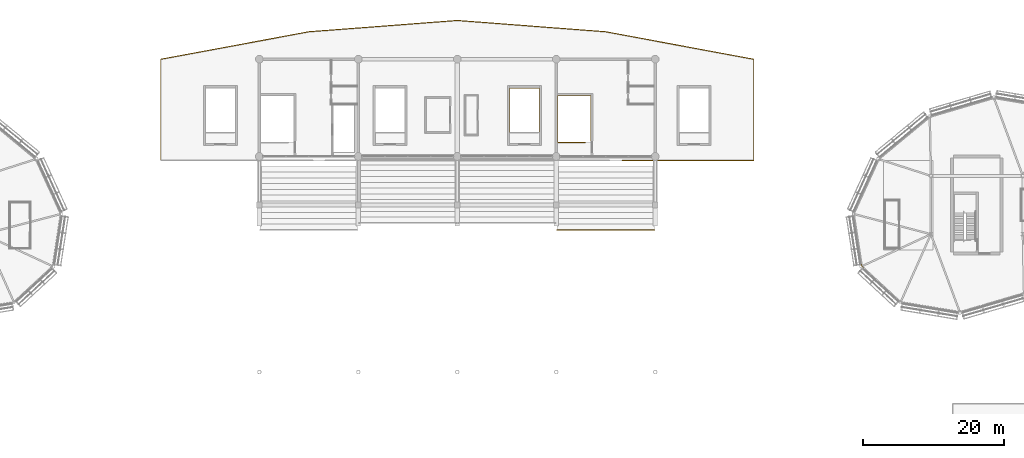
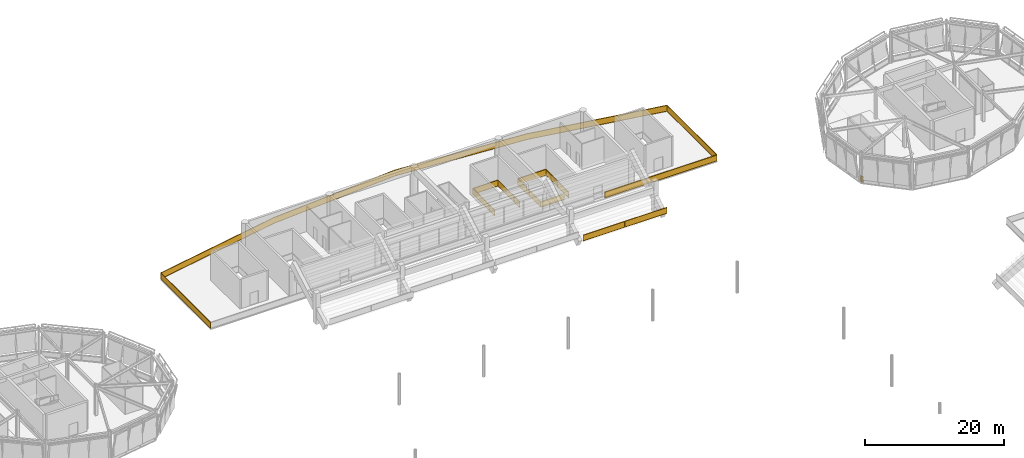
# One storey, part 88 of 90: 6 railings.
"""IFC4 building model written with IfcOpenShell, lengths in metres."""

import ifcopenshell
import ifcopenshell.guid

model = None  # the IFC model being written
_history = None  # IfcOwnerHistory: only IFC2X3 demands one
_inside = {}  # id of a spatial element -> (the spatial element, [elements in it])
_under = {}  # id of a project, library or spatial element -> (it, [spatial elements below it])
_declared = {}  # id of a project -> (the project, [libraries it declares])
_typed = {}  # id of a type object -> (the type object, [elements of that type])
_made_of = {}  # id of a material, layer set ... -> (it, [elements and type objects made of it])


def new_model(schema):
    """Start an empty IFC model of exactly this schema.

    Asked for "IFC4X3", IfcOpenShell would pick the latest addendum, in which some entities
    have other attributes; the version numbers below select the first issue.
    IFC2X3 requires an IfcOwnerHistory on every rooted entity: one is made here for all.
    """
    global model, _history
    if schema == "IFC4X3":
        model = ifcopenshell.file(schema_version=(4, 3, 0, 0))
    else:
        model = ifcopenshell.file(schema=schema)
    _inside.clear()
    _under.clear()
    _declared.clear()
    _typed.clear()
    _made_of.clear()
    _history = None
    if model.schema == "IFC2X3":
        org = make("IfcOrganization", Name="unknown")
        user = make(
            "IfcPersonAndOrganization",
            ThePerson=make("IfcPerson", FamilyName="unknown"),
            TheOrganization=org,
        )
        app = make(
            "IfcApplication",
            ApplicationDeveloper=org,
            Version="unknown",
            ApplicationFullName="unknown",
            ApplicationIdentifier="unknown",
        )
        _history = make(
            "IfcOwnerHistory",
            OwningUser=user,
            OwningApplication=app,
            ChangeAction="ADDED",
            CreationDate=0,
        )
    return model


def make(cls, **values):
    """One entity of the class cls with the attributes given. An attribute that is None is left unset."""
    return model.create_entity(
        cls, **{name: value for name, value in values.items() if value is not None}
    )


def rooted(cls, **values):
    """An entity with a GlobalId (a new one), such as an element, a storey or a relation."""
    return make(cls, GlobalId=ifcopenshell.guid.new(), OwnerHistory=_history, **values)


def si_unit(unit_type, name, prefix=None):
    """IfcSIUnit, for example si_unit("LENGTHUNIT", "METRE", prefix="MILLI")."""
    return make("IfcSIUnit", UnitType=unit_type, Prefix=prefix, Name=name)


def assignment(units):
    """IfcUnitAssignment: the units of a project."""
    return None if units is None else make("IfcUnitAssignment", Units=units)


def point(xyz):
    """IfcCartesianPoint."""
    return None if xyz is None else make("IfcCartesianPoint", Coordinates=xyz)


def direction(xyz):
    """IfcDirection."""
    return None if xyz is None else make("IfcDirection", DirectionRatios=xyz)


def frame(location, z_axis=None, x_axis=None):
    """IfcAxis2Placement3D, a coordinate frame: its origin and axes. An axis left out is left unset."""
    return make(
        "IfcAxis2Placement3D",
        Location=point(location),
        Axis=direction(z_axis),
        RefDirection=direction(x_axis),
    )


def frame_2d(location, x_axis=None):
    """IfcAxis2Placement2D, a coordinate frame in the plane: its origin and x axis."""
    return make(
        "IfcAxis2Placement2D", Location=point(location), RefDirection=direction(x_axis)
    )


def origin():
    """The frame at (0, 0, 0) with its axes left unset."""
    return frame((0.0, 0.0, 0.0))


def origin_2d():
    """The frame at (0, 0) in the plane with its x axis left unset."""
    return frame_2d((0.0, 0.0))


def place(relative_to, where):
    """IfcLocalPlacement: puts the frame where relative to a parent placement (None: the world)."""
    return make(
        "IfcLocalPlacement", PlacementRelTo=relative_to, RelativePlacement=where
    )


def context(
    kind, dimensions, precision=None, world=None, true_north=None, identifier=None
):
    """IfcGeometricRepresentationContext, for example the 3D "Model" context."""
    return make(
        "IfcGeometricRepresentationContext",
        ContextIdentifier=identifier,
        ContextType=kind,
        CoordinateSpaceDimension=dimensions,
        Precision=precision,
        WorldCoordinateSystem=world,
        TrueNorth=true_north,
    )


def subcontext(parent, identifier, kind, view, scale=None):
    """IfcGeometricRepresentationSubContext, for example "Body" below "Model"."""
    return make(
        "IfcGeometricRepresentationSubContext",
        ContextIdentifier=identifier,
        ContextType=kind,
        ParentContext=parent,
        TargetScale=scale,
        TargetView=view,
    )


def project(units=None, contexts=None):
    """IfcProject with its units and contexts."""
    return rooted(
        "IfcProject",
        Name="project",
        RepresentationContexts=contexts,
        UnitsInContext=assignment(units),
    )


def spatial(cls, under=None, at=None, **own):
    """A site, building, storey or space (cls), placed at a placement, below another one or the project."""
    s = rooted(cls, ObjectPlacement=at, **own)
    if under is not None:
        _under.setdefault(under.id(), (under, []))[1].append(s)
    return s


def profile(cls, at=None, kind="AREA", **sizes):
    """A parametric profile (cls). Its sizes go by their IFC names, for example OverallWidth=200.0."""
    return make(cls, ProfileType=kind, Position=at, **sizes)


def rectangle(**sizes):
    """IfcRectangleProfileDef."""
    return profile("IfcRectangleProfileDef", **sizes)


def extrude(swept, where, along, depth):
    """IfcExtrudedAreaSolid: the profile swept, set in the frame where, extruded along a direction by depth."""
    return make(
        "IfcExtrudedAreaSolid",
        SweptArea=swept,
        Position=where,
        ExtrudedDirection=direction(along),
        Depth=depth,
    )


def shape(context_of_items, identifier, shape_type, items):
    """IfcShapeRepresentation: the items that make up one representation, for example the "Body"."""
    return make(
        "IfcShapeRepresentation",
        ContextOfItems=context_of_items,
        RepresentationIdentifier=identifier,
        RepresentationType=shape_type,
        Items=items,
    )


def material(Name=None, Category=None):
    """IfcMaterial."""
    return make("IfcMaterial", Name=Name, Category=Category)


def made_of(thing, what):
    """Note that an element or type object is made of a material, layer set ...; save() writes the relation."""
    if what is not None:
        _made_of.setdefault(what.id(), (what, []))[1].append(thing)
    return thing


def type_object(cls, material=None, **own):
    """A type object (cls), such as IfcWallType, which elements share."""
    return made_of(rooted(cls, **own), material)


def element(
    cls,
    number,
    at=None,
    inside=None,
    cuts=None,
    type_object=None,
    material=None,
    context=None,
    identifier="Body",
    shape_type=None,
    held_by="IfcProductDefinitionShape",
    body=None,
    shapes=None,
    **own,
):
    """One element of the class cls, such as IfcWall. Its Tag is "e" and its number.

    at: its placement. inside: the storey or other place that contains it. cuts: it is an
    opening in that element (IfcRelVoidsElement). A single representation is given by context,
    identifier, shape_type and body (its items); several are given by shapes. held_by: the class
    of the entity that holds the representations. save() writes the other relations.
    """
    e = rooted(cls, Tag="e%d" % number, ObjectPlacement=at, **own)
    if body is not None:
        shapes = [shape(context, identifier, shape_type, body)]
    if shapes is not None:
        e.Representation = make(held_by, Representations=shapes)
    if inside is not None:
        _inside.setdefault(inside.id(), (inside, []))[1].append(e)
    if cuts is not None:
        rooted(
            "IfcRelVoidsElement", RelatingBuildingElement=cuts, RelatedOpeningElement=e
        )
    if type_object is not None:
        _typed.setdefault(type_object.id(), (type_object, []))[1].append(e)
    return made_of(e, material)


def aggregate(whole, parts):
    """IfcRelAggregates: a whole, such as a stair, and the parts it consists of."""
    return rooted("IfcRelAggregates", RelatingObject=whole, RelatedObjects=parts)


def save(model, path):
    """Write the relations noted so far, then the file.

    IfcRelAggregates (storeys below a building ...), IfcRelContainedInSpatialStructure (elements
    in a storey), IfcRelDefinesByType, IfcRelAssociatesMaterial and IfcRelDeclares: one each for
    every whole, place, type object, material and project.
    """
    for whole, parts in _under.values():
        aggregate(whole, parts)
    for where, things in _inside.values():
        rooted(
            "IfcRelContainedInSpatialStructure",
            RelatedElements=things,
            RelatingStructure=where,
        )
    for kind, things in _typed.values():
        rooted("IfcRelDefinesByType", RelatedObjects=things, RelatingType=kind)
    for what, things in _made_of.values():
        rooted("IfcRelAssociatesMaterial", RelatedObjects=things, RelatingMaterial=what)
    for by, libraries in _declared.values():
        rooted("IfcRelDeclares", RelatingContext=by, RelatedDefinitions=libraries)
    model.write(path)


model = new_model("IFC4")

# Units and contexts
model_context = context("Model", 3, precision=1e-05, world=origin(), true_north=direction((0.0, 1.0)))
body_context = subcontext(model_context, "Body", "Model", "MODEL_VIEW")
ifc_project = project(units=[si_unit("LENGTHUNIT", "METRE"), si_unit("AREAUNIT", "SQUARE_METRE"), si_unit("VOLUMEUNIT", "CUBIC_METRE"), si_unit("PLANEANGLEUNIT", "RADIAN"), si_unit("MASSUNIT", "GRAM", prefix="KILO")], contexts=[model_context])

# Site, building, storey
site_placement = place(None, origin())
site = spatial("IfcSite", under=ifc_project, at=site_placement, CompositionType="ELEMENT")
building_placement = place(site_placement, origin())
building = spatial("IfcBuilding", under=site, at=building_placement, Name="Linyun Crest Stadium", CompositionType="ELEMENT")
storey_placement = place(building_placement, frame((0.0, 0.0, 21.0)))
storey = spatial("IfcBuildingStorey", under=building, at=storey_placement, Name="L05", CompositionType="ELEMENT", Elevation=21.0)

# Railings
ifc_material_1 = material(Name="Galvanized and powder-coated steel bowl safety barrier", Category="steel")
railing_type_1 = type_object("IfcRailingType", Name="GR02", PredefinedType="GUARDRAIL", material=ifc_material_1)
railing_1_placement = place(storey_placement, frame((14.080078125, 81.10009765625, 1.64990234375)))
element("IfcRailing", 1, at=railing_1_placement, inside=storey, type_object=railing_type_1, Name="Bowl front safety guard GR02 81", PredefinedType="GUARDRAIL", context=body_context, shape_type="SweptSolid", body=[
    extrude(rectangle(XDim=0.06005859375, YDim=0.06005859375, at=origin_2d()), frame((0.0, 0.0, 1.090087890625), z_axis=(1.0, 0.0, 0.0), x_axis=(0.0, 1.0, 0.0)), (0.0, 0.0, 1.0), 13.83984375),
    extrude(rectangle(XDim=0.030029296875, YDim=1.0, at=origin_2d()), frame((0.0, 0.0, 0.56005859375), z_axis=(1.0, 0.0, 0.0), x_axis=(0.0, 1.0, 0.0)), (0.0, 0.0, 1.0), 13.83984375),
    extrude(rectangle(XDim=0.06005859375, YDim=0.06005859375, at=origin_2d()), frame((0.0, 0.0, 0.030029296875), z_axis=(1.0, 0.0, 0.0), x_axis=(0.0, 1.0, 0.0)), (0.0, 0.0, 1.0), 13.83984375),
    extrude(rectangle(XDim=0.050048828125, YDim=0.050048828125, at=origin_2d()), origin(), (0.0, 0.0, 1.0), 1.1201171875),
    extrude(rectangle(XDim=0.050048828125, YDim=0.050048828125, at=origin_2d()), frame((2.306640625, 0.0, 0.0)), (0.0, 0.0, 1.0), 1.1201171875),
    extrude(rectangle(XDim=0.050048828125, YDim=0.050048828125, at=origin_2d()), frame((4.61328125, 0.0, 0.0)), (0.0, 0.0, 1.0), 1.1201171875),
    extrude(rectangle(XDim=0.050048828125, YDim=0.050048828125, at=origin_2d()), frame((6.919921875, 0.0, 0.0)), (0.0, 0.0, 1.0), 1.1201171875),
    extrude(rectangle(XDim=0.050048828125, YDim=0.050048828125, at=origin_2d()), frame((9.2265625, 0.0, 0.0)), (0.0, 0.0, 1.0), 1.1201171875),
    extrude(rectangle(XDim=0.050048828125, YDim=0.050048828125, at=origin_2d()), frame((11.533203125, 0.0, 0.0)), (0.0, 0.0, 1.0), 1.1201171875),
    extrude(rectangle(XDim=0.050048828125, YDim=0.050048828125, at=origin_2d()), frame((13.83984375, 0.0, 0.0)), (0.0, 0.0, 1.0), 1.1201171875),
])
railing_2_placement = place(storey_placement, frame((-41.93994140625, 90.919921875, 0.0)))
element("IfcRailing", 2, at=railing_2_placement, inside=storey, type_object=railing_type_1, Name="Slab edge balustrade GR02 229", PredefinedType="GUARDRAIL", context=body_context, shape_type="SweptSolid", body=[
    extrude(rectangle(XDim=0.06005859375, YDim=0.06005859375, at=origin_2d()), frame((0.0, 0.0, 1.090087890625), z_axis=(0.0, 1.0, 0.0), x_axis=(-1.0, 0.0, 0.0)), (0.0, 0.0, 1.0), 14.330078125),
    extrude(rectangle(XDim=0.030029296875, YDim=1.0, at=origin_2d()), frame((0.0, 0.0, 0.56005859375), z_axis=(0.0, 1.0, 0.0), x_axis=(-1.0, 0.0, 0.0)), (0.0, 0.0, 1.0), 14.330078125),
    extrude(rectangle(XDim=0.06005859375, YDim=0.06005859375, at=origin_2d()), frame((0.0, 0.0, 0.030029296875), z_axis=(0.0, 1.0, 0.0), x_axis=(-1.0, 0.0, 0.0)), (0.0, 0.0, 1.0), 14.330078125),
    extrude(rectangle(XDim=0.06005859375, YDim=0.06005859375, at=origin_2d()), frame((0.0, 14.330078125, 1.090087890625), z_axis=(0.983192526804, 0.182571781052, 0.0), x_axis=(-0.182571781052, 0.983192526804, 0.0)), (0.0, 0.0, 1.0), 21.30615234375),
    extrude(rectangle(XDim=0.030029296875, YDim=1.0, at=origin_2d()), frame((0.0, 14.330078125, 0.56005859375), z_axis=(0.983192526804, 0.182571781052, 0.0), x_axis=(-0.182571781052, 0.983192526804, 0.0)), (0.0, 0.0, 1.0), 21.30615234375),
    extrude(rectangle(XDim=0.06005859375, YDim=0.06005859375, at=origin_2d()), frame((0.0, 14.330078125, 0.030029296875), z_axis=(0.983192526804, 0.182571781052, 0.0), x_axis=(-0.182571781052, 0.983192526804, 0.0)), (0.0, 0.0, 1.0), 21.30615234375),
    extrude(rectangle(XDim=0.06005859375, YDim=0.06005859375, at=origin_2d()), frame((20.947998046875, 18.219970703125, 1.090087890625), z_axis=(0.997107520942, 0.07600389254, 0.0), x_axis=(-0.07600389254, 0.997107520942, 0.0)), (0.0, 0.0, 1.0), 21.052734375),
    extrude(rectangle(XDim=0.030029296875, YDim=1.0, at=origin_2d()), frame((20.947998046875, 18.219970703125, 0.56005859375), z_axis=(0.997107520942, 0.07600389254, 0.0), x_axis=(-0.07600389254, 0.997107520942, 0.0)), (0.0, 0.0, 1.0), 21.052734375),
    extrude(rectangle(XDim=0.06005859375, YDim=0.06005859375, at=origin_2d()), frame((20.947998046875, 18.219970703125, 0.030029296875), z_axis=(0.997107520942, 0.07600389254, 0.0), x_axis=(-0.07600389254, 0.997107520942, 0.0)), (0.0, 0.0, 1.0), 21.052734375),
    extrude(rectangle(XDim=0.06005859375, YDim=0.06005859375, at=origin_2d()), frame((41.93994140625, 19.820068359375, 1.090087890625), z_axis=(0.997107520942, -0.07600389254, 0.0), x_axis=(0.07600389254, 0.997107520942, 0.0)), (0.0, 0.0, 1.0), 21.052734375),
    extrude(rectangle(XDim=0.030029296875, YDim=1.0, at=origin_2d()), frame((41.93994140625, 19.820068359375, 0.56005859375), z_axis=(0.997107520942, -0.07600389254, 0.0), x_axis=(0.07600389254, 0.997107520942, 0.0)), (0.0, 0.0, 1.0), 21.052734375),
    extrude(rectangle(XDim=0.06005859375, YDim=0.06005859375, at=origin_2d()), frame((41.93994140625, 19.820068359375, 0.030029296875), z_axis=(0.997107520942, -0.07600389254, 0.0), x_axis=(0.07600389254, 0.997107520942, 0.0)), (0.0, 0.0, 1.0), 21.052734375),
    extrude(rectangle(XDim=0.06005859375, YDim=0.06005859375, at=origin_2d()), frame((62.931884765625, 18.219970703125, 1.090087890625), z_axis=(0.983192526804, -0.182571781052, 0.0), x_axis=(0.182571781052, 0.983192526804, 0.0)), (0.0, 0.0, 1.0), 21.30615234375),
    extrude(rectangle(XDim=0.030029296875, YDim=1.0, at=origin_2d()), frame((62.931884765625, 18.219970703125, 0.56005859375), z_axis=(0.983192526804, -0.182571781052, 0.0), x_axis=(0.182571781052, 0.983192526804, 0.0)), (0.0, 0.0, 1.0), 21.30615234375),
    extrude(rectangle(XDim=0.06005859375, YDim=0.06005859375, at=origin_2d()), frame((62.931884765625, 18.219970703125, 0.030029296875), z_axis=(0.983192526804, -0.182571781052, 0.0), x_axis=(0.182571781052, 0.983192526804, 0.0)), (0.0, 0.0, 1.0), 21.30615234375),
    extrude(rectangle(XDim=0.06005859375, YDim=0.06005859375, at=origin_2d()), frame((83.8798828125, 14.330078125, 1.090087890625), z_axis=(0.0, -1.0, 0.0), x_axis=(1.0, 0.0, 0.0)), (0.0, 0.0, 1.0), 14.330078125),
    extrude(rectangle(XDim=0.030029296875, YDim=1.0, at=origin_2d()), frame((83.8798828125, 14.330078125, 0.56005859375), z_axis=(0.0, -1.0, 0.0), x_axis=(1.0, 0.0, 0.0)), (0.0, 0.0, 1.0), 14.330078125),
    extrude(rectangle(XDim=0.06005859375, YDim=0.06005859375, at=origin_2d()), frame((83.8798828125, 14.330078125, 0.030029296875), z_axis=(0.0, -1.0, 0.0), x_axis=(1.0, 0.0, 0.0)), (0.0, 0.0, 1.0), 14.330078125),
    extrude(rectangle(XDim=0.06005859375, YDim=0.06005859375, at=origin_2d()), frame((83.8798828125, 0.0, 1.090087890625), z_axis=(-1.0, 0.0, 0.0), x_axis=(0.0, -1.0, 0.0)), (0.0, 0.0, 1.0), 18.579833984375),
    extrude(rectangle(XDim=0.030029296875, YDim=1.0, at=origin_2d()), frame((83.8798828125, 0.0, 0.56005859375), z_axis=(-1.0, 0.0, 0.0), x_axis=(0.0, -1.0, 0.0)), (0.0, 0.0, 1.0), 18.579833984375),
    extrude(rectangle(XDim=0.06005859375, YDim=0.06005859375, at=origin_2d()), frame((83.8798828125, 0.0, 0.030029296875), z_axis=(-1.0, 0.0, 0.0), x_axis=(0.0, -1.0, 0.0)), (0.0, 0.0, 1.0), 18.579833984375),
    extrude(rectangle(XDim=0.050048828125, YDim=0.050048828125, at=origin_2d()), origin(), (0.0, 0.0, 1.0), 1.1201171875),
    extrude(rectangle(XDim=0.050048828125, YDim=0.050048828125, at=origin_2d()), frame((0.0, 4.776611328125, 0.0)), (0.0, 0.0, 1.0), 1.1201171875),
    extrude(rectangle(XDim=0.050048828125, YDim=0.050048828125, at=origin_2d()), frame((0.0, 9.553466796875, 0.0)), (0.0, 0.0, 1.0), 1.1201171875),
    extrude(rectangle(XDim=0.050048828125, YDim=0.050048828125, at=origin_2d()), frame((0.0, 14.330078125, 0.0)), (0.0, 0.0, 1.0), 1.1201171875),
    extrude(rectangle(XDim=0.050048828125, YDim=0.050048828125, at=origin_2d()), frame((4.189697265625, 15.108154296875, 0.0)), (0.0, 0.0, 1.0), 1.1201171875),
    extrude(rectangle(XDim=0.050048828125, YDim=0.050048828125, at=origin_2d()), frame((8.379150390625, 15.885986328125, 0.0)), (0.0, 0.0, 1.0), 1.1201171875),
    extrude(rectangle(XDim=0.050048828125, YDim=0.050048828125, at=origin_2d()), frame((12.56884765625, 16.6640625, 0.0)), (0.0, 0.0, 1.0), 1.1201171875),
    extrude(rectangle(XDim=0.050048828125, YDim=0.050048828125, at=origin_2d()), frame((16.75830078125, 17.44189453125, 0.0)), (0.0, 0.0, 1.0), 1.1201171875),
    extrude(rectangle(XDim=0.050048828125, YDim=0.050048828125, at=origin_2d()), frame((20.947998046875, 18.219970703125, 0.0)), (0.0, 0.0, 1.0), 1.1201171875),
    extrude(rectangle(XDim=0.050048828125, YDim=0.050048828125, at=origin_2d()), frame((25.146484375, 18.5400390625, 0.0)), (0.0, 0.0, 1.0), 1.1201171875),
    extrude(rectangle(XDim=0.050048828125, YDim=0.050048828125, at=origin_2d()), frame((29.3447265625, 18.860107421875, 0.0)), (0.0, 0.0, 1.0), 1.1201171875),
    extrude(rectangle(XDim=0.050048828125, YDim=0.050048828125, at=origin_2d()), frame((33.543212890625, 19.179931640625, 0.0)), (0.0, 0.0, 1.0), 1.1201171875),
    extrude(rectangle(XDim=0.050048828125, YDim=0.050048828125, at=origin_2d()), frame((37.741455078125, 19.5, 0.0)), (0.0, 0.0, 1.0), 1.1201171875),
    extrude(rectangle(XDim=0.050048828125, YDim=0.050048828125, at=origin_2d()), frame((41.93994140625, 19.820068359375, 0.0)), (0.0, 0.0, 1.0), 1.1201171875),
    extrude(rectangle(XDim=0.050048828125, YDim=0.050048828125, at=origin_2d()), frame((46.138427734375, 19.5, 0.0)), (0.0, 0.0, 1.0), 1.1201171875),
    extrude(rectangle(XDim=0.050048828125, YDim=0.050048828125, at=origin_2d()), frame((50.336669921875, 19.179931640625, 0.0)), (0.0, 0.0, 1.0), 1.1201171875),
    extrude(rectangle(XDim=0.050048828125, YDim=0.050048828125, at=origin_2d()), frame((54.53515625, 18.860107421875, 0.0)), (0.0, 0.0, 1.0), 1.1201171875),
    extrude(rectangle(XDim=0.050048828125, YDim=0.050048828125, at=origin_2d()), frame((58.7333984375, 18.5400390625, 0.0)), (0.0, 0.0, 1.0), 1.1201171875),
    extrude(rectangle(XDim=0.050048828125, YDim=0.050048828125, at=origin_2d()), frame((62.931884765625, 18.219970703125, 0.0)), (0.0, 0.0, 1.0), 1.1201171875),
    extrude(rectangle(XDim=0.050048828125, YDim=0.050048828125, at=origin_2d()), frame((67.12158203125, 17.44189453125, 0.0)), (0.0, 0.0, 1.0), 1.1201171875),
    extrude(rectangle(XDim=0.050048828125, YDim=0.050048828125, at=origin_2d()), frame((71.31103515625, 16.6640625, 0.0)), (0.0, 0.0, 1.0), 1.1201171875),
    extrude(rectangle(XDim=0.050048828125, YDim=0.050048828125, at=origin_2d()), frame((75.500732421875, 15.885986328125, 0.0)), (0.0, 0.0, 1.0), 1.1201171875),
    extrude(rectangle(XDim=0.050048828125, YDim=0.050048828125, at=origin_2d()), frame((79.690185546875, 15.108154296875, 0.0)), (0.0, 0.0, 1.0), 1.1201171875),
    extrude(rectangle(XDim=0.050048828125, YDim=0.050048828125, at=origin_2d()), frame((83.8798828125, 14.330078125, 0.0)), (0.0, 0.0, 1.0), 1.1201171875),
    extrude(rectangle(XDim=0.050048828125, YDim=0.050048828125, at=origin_2d()), frame((83.8798828125, 9.553466796875, 0.0)), (0.0, 0.0, 1.0), 1.1201171875),
    extrude(rectangle(XDim=0.050048828125, YDim=0.050048828125, at=origin_2d()), frame((83.8798828125, 4.776611328125, 0.0)), (0.0, 0.0, 1.0), 1.1201171875),
    extrude(rectangle(XDim=0.050048828125, YDim=0.050048828125, at=origin_2d()), frame((83.8798828125, 0.0, 0.0)), (0.0, 0.0, 1.0), 1.1201171875),
    extrude(rectangle(XDim=0.050048828125, YDim=0.050048828125, at=origin_2d()), frame((79.23486328125, 0.0, 0.0)), (0.0, 0.0, 1.0), 1.1201171875),
    extrude(rectangle(XDim=0.050048828125, YDim=0.050048828125, at=origin_2d()), frame((74.58984375, 0.0, 0.0)), (0.0, 0.0, 1.0), 1.1201171875),
    extrude(rectangle(XDim=0.050048828125, YDim=0.050048828125, at=origin_2d()), frame((69.945068359375, 0.0, 0.0)), (0.0, 0.0, 1.0), 1.1201171875),
    extrude(rectangle(XDim=0.050048828125, YDim=0.050048828125, at=origin_2d()), frame((65.300048828125, 0.0, 0.0)), (0.0, 0.0, 1.0), 1.1201171875),
])
railing_3_placement = place(storey_placement, frame((14.340087890625, 93.4599609375, 0.0)))
element("IfcRailing", 3, at=railing_3_placement, inside=storey, type_object=railing_type_1, Name="Slab edge balustrade GR02 233", PredefinedType="GUARDRAIL", context=body_context, shape_type="SweptSolid", body=[
    extrude(rectangle(XDim=0.06005859375, YDim=0.06005859375, at=origin_2d()), frame((0.0, 0.0, 1.090087890625), z_axis=(1.0, 0.0, 0.0), x_axis=(0.0, 1.0, 0.0)), (0.0, 0.0, 1.0), 3.760009765625),
    extrude(rectangle(XDim=0.030029296875, YDim=1.0, at=origin_2d()), frame((0.0, 0.0, 0.56005859375), z_axis=(1.0, 0.0, 0.0), x_axis=(0.0, 1.0, 0.0)), (0.0, 0.0, 1.0), 3.760009765625),
    extrude(rectangle(XDim=0.06005859375, YDim=0.06005859375, at=origin_2d()), frame((0.0, 0.0, 0.030029296875), z_axis=(1.0, 0.0, 0.0), x_axis=(0.0, 1.0, 0.0)), (0.0, 0.0, 1.0), 3.760009765625),
    extrude(rectangle(XDim=0.050048828125, YDim=0.050048828125, at=origin_2d()), origin(), (0.0, 0.0, 1.0), 1.1201171875),
    extrude(rectangle(XDim=0.050048828125, YDim=0.050048828125, at=origin_2d()), frame((3.760009765625, 0.0, 0.0)), (0.0, 0.0, 1.0), 1.1201171875),
])
railing_4_placement = place(storey_placement, frame((57.426025390625, 75.780029296875, 0.0)))
element("IfcRailing", 4, at=railing_4_placement, inside=storey, type_object=railing_type_1, Name="Slab edge balustrade GR02 357", PredefinedType="GUARDRAIL", context=body_context, shape_type="SweptSolid", body=[
    extrude(rectangle(XDim=0.06005859375, YDim=0.06005859375, at=origin_2d()), frame((0.0, 0.0, 1.090087890625), z_axis=(-0.733663907779, 0.67951252411, 0.0), x_axis=(-0.67951252411, -0.733663907779, 0.0)), (0.0, 0.0, 1.0), 0.279541015625),
    extrude(rectangle(XDim=0.030029296875, YDim=1.0, at=origin_2d()), frame((0.0, 0.0, 0.56005859375), z_axis=(-0.733663907779, 0.67951252411, 0.0), x_axis=(-0.67951252411, -0.733663907779, 0.0)), (0.0, 0.0, 1.0), 0.279541015625),
    extrude(rectangle(XDim=0.06005859375, YDim=0.06005859375, at=origin_2d()), frame((0.0, 0.0, 0.030029296875), z_axis=(-0.733663907779, 0.67951252411, 0.0), x_axis=(-0.67951252411, -0.733663907779, 0.0)), (0.0, 0.0, 1.0), 0.279541015625),
    extrude(rectangle(XDim=0.06005859375, YDim=0.06005859375, at=origin_2d()), frame((-0.205078125, 0.18994140625, 1.090087890625), z_axis=(-0.150349133385, 0.988632964295, 0.0), x_axis=(-0.988632964295, -0.150349133385, 0.0)), (0.0, 0.0, 1.0), 0.279296875),
    extrude(rectangle(XDim=0.030029296875, YDim=1.0, at=origin_2d()), frame((-0.205078125, 0.18994140625, 0.56005859375), z_axis=(-0.150349133385, 0.988632964295, 0.0), x_axis=(-0.988632964295, -0.150349133385, 0.0)), (0.0, 0.0, 1.0), 0.279296875),
    extrude(rectangle(XDim=0.06005859375, YDim=0.06005859375, at=origin_2d()), frame((-0.205078125, 0.18994140625, 0.030029296875), z_axis=(-0.150349133385, 0.988632964295, 0.0), x_axis=(-0.988632964295, -0.150349133385, 0.0)), (0.0, 0.0, 1.0), 0.279296875),
    extrude(rectangle(XDim=0.050048828125, YDim=0.050048828125, at=origin_2d()), origin(), (0.0, 0.0, 1.0), 1.1201171875),
    extrude(rectangle(XDim=0.050048828125, YDim=0.050048828125, at=origin_2d()), frame((-0.205078125, 0.18994140625, 0.0)), (0.0, 0.0, 1.0), 1.1201171875),
    extrude(rectangle(XDim=0.050048828125, YDim=0.050048828125, at=origin_2d()), frame((-0.2470703125, 0.466064453125, 0.0)), (0.0, 0.0, 1.0), 1.1201171875),
])
ifc_material_2 = material(Name="Painted steel stairwell safety guard", Category="steel")
railing_type_2 = type_object("IfcRailingType", Name="GR03", PredefinedType="GUARDRAIL", material=ifc_material_2)
railing_5_placement = place(storey_placement, frame((14.22998046875, 93.5, 0.0)))
element("IfcRailing", 5, at=railing_5_placement, inside=storey, type_object=railing_type_2, Name="STR-08-L04 top well guard", PredefinedType="GUARDRAIL", context=body_context, shape_type="SweptSolid", body=[
    extrude(rectangle(XDim=0.06005859375, YDim=0.06005859375, at=origin_2d()), frame((0.0, 0.0, 1.090087890625), z_axis=(0.0, 1.0, 0.0), x_axis=(-1.0, 0.0, 0.0)), (0.0, 0.0, 1.0), 6.570068359375),
    extrude(rectangle(XDim=0.030029296875, YDim=1.0, at=origin_2d()), frame((0.0, 0.0, 0.56005859375), z_axis=(0.0, 1.0, 0.0), x_axis=(-1.0, 0.0, 0.0)), (0.0, 0.0, 1.0), 6.570068359375),
    extrude(rectangle(XDim=0.06005859375, YDim=0.06005859375, at=origin_2d()), frame((0.0, 0.0, 0.030029296875), z_axis=(0.0, 1.0, 0.0), x_axis=(-1.0, 0.0, 0.0)), (0.0, 0.0, 1.0), 6.570068359375),
    extrude(rectangle(XDim=0.06005859375, YDim=0.06005859375, at=origin_2d()), frame((0.0, 6.570068359375, 1.090087890625), z_axis=(1.0, 0.0, 0.0), x_axis=(0.0, 1.0, 0.0)), (0.0, 0.0, 1.0), 4.64013671875),
    extrude(rectangle(XDim=0.030029296875, YDim=1.0, at=origin_2d()), frame((0.0, 6.570068359375, 0.56005859375), z_axis=(1.0, 0.0, 0.0), x_axis=(0.0, 1.0, 0.0)), (0.0, 0.0, 1.0), 4.64013671875),
    extrude(rectangle(XDim=0.06005859375, YDim=0.06005859375, at=origin_2d()), frame((0.0, 6.570068359375, 0.030029296875), z_axis=(1.0, 0.0, 0.0), x_axis=(0.0, 1.0, 0.0)), (0.0, 0.0, 1.0), 4.64013671875),
    extrude(rectangle(XDim=0.06005859375, YDim=0.06005859375, at=origin_2d()), frame((4.64013671875, 6.570068359375, 1.090087890625), z_axis=(0.0, -1.0, 0.0), x_axis=(1.0, 0.0, 0.0)), (0.0, 0.0, 1.0), 6.570068359375),
    extrude(rectangle(XDim=0.030029296875, YDim=1.0, at=origin_2d()), frame((4.64013671875, 6.570068359375, 0.56005859375), z_axis=(0.0, -1.0, 0.0), x_axis=(1.0, 0.0, 0.0)), (0.0, 0.0, 1.0), 6.570068359375),
    extrude(rectangle(XDim=0.06005859375, YDim=0.06005859375, at=origin_2d()), frame((4.64013671875, 6.570068359375, 0.030029296875), z_axis=(0.0, -1.0, 0.0), x_axis=(1.0, 0.0, 0.0)), (0.0, 0.0, 1.0), 6.570068359375),
    extrude(rectangle(XDim=0.050048828125, YDim=0.050048828125, at=origin_2d()), origin(), (0.0, 0.0, 1.0), 1.1201171875),
    extrude(rectangle(XDim=0.050048828125, YDim=0.050048828125, at=origin_2d()), frame((0.0, 1.642578125, 0.0)), (0.0, 0.0, 1.0), 1.1201171875),
    extrude(rectangle(XDim=0.050048828125, YDim=0.050048828125, at=origin_2d()), frame((0.0, 3.28515625, 0.0)), (0.0, 0.0, 1.0), 1.1201171875),
    extrude(rectangle(XDim=0.050048828125, YDim=0.050048828125, at=origin_2d()), frame((0.0, 4.927490234375, 0.0)), (0.0, 0.0, 1.0), 1.1201171875),
    extrude(rectangle(XDim=0.050048828125, YDim=0.050048828125, at=origin_2d()), frame((0.0, 6.570068359375, 0.0)), (0.0, 0.0, 1.0), 1.1201171875),
    extrude(rectangle(XDim=0.050048828125, YDim=0.050048828125, at=origin_2d()), frame((1.546630859375, 6.570068359375, 0.0)), (0.0, 0.0, 1.0), 1.1201171875),
    extrude(rectangle(XDim=0.050048828125, YDim=0.050048828125, at=origin_2d()), frame((3.093505859375, 6.570068359375, 0.0)), (0.0, 0.0, 1.0), 1.1201171875),
    extrude(rectangle(XDim=0.050048828125, YDim=0.050048828125, at=origin_2d()), frame((4.64013671875, 6.570068359375, 0.0)), (0.0, 0.0, 1.0), 1.1201171875),
    extrude(rectangle(XDim=0.050048828125, YDim=0.050048828125, at=origin_2d()), frame((4.64013671875, 4.927490234375, 0.0)), (0.0, 0.0, 1.0), 1.1201171875),
    extrude(rectangle(XDim=0.050048828125, YDim=0.050048828125, at=origin_2d()), frame((4.64013671875, 3.28515625, 0.0)), (0.0, 0.0, 1.0), 1.1201171875),
    extrude(rectangle(XDim=0.050048828125, YDim=0.050048828125, at=origin_2d()), frame((4.64013671875, 1.642578125, 0.0)), (0.0, 0.0, 1.0), 1.1201171875),
    extrude(rectangle(XDim=0.050048828125, YDim=0.050048828125, at=origin_2d()), frame((4.64013671875, 0.0, 0.0)), (0.0, 0.0, 1.0), 1.1201171875),
])
railing_6_placement = place(storey_placement, frame((7.429931640625, 94.929931640625, 0.0)))
element("IfcRailing", 6, at=railing_6_placement, inside=storey, type_object=railing_type_2, Name="STR-25-L04 top well guard", PredefinedType="GUARDRAIL", context=body_context, shape_type="SweptSolid", body=[
    extrude(rectangle(XDim=0.06005859375, YDim=0.06005859375, at=origin_2d()), frame((0.0, 0.0, 1.090087890625), z_axis=(0.0, 1.0, 0.0), x_axis=(-1.0, 0.0, 0.0)), (0.0, 0.0, 1.0), 6.239990234375),
    extrude(rectangle(XDim=0.030029296875, YDim=1.0, at=origin_2d()), frame((0.0, 0.0, 0.56005859375), z_axis=(0.0, 1.0, 0.0), x_axis=(-1.0, 0.0, 0.0)), (0.0, 0.0, 1.0), 6.239990234375),
    extrude(rectangle(XDim=0.06005859375, YDim=0.06005859375, at=origin_2d()), frame((0.0, 0.0, 0.030029296875), z_axis=(0.0, 1.0, 0.0), x_axis=(-1.0, 0.0, 0.0)), (0.0, 0.0, 1.0), 6.239990234375),
    extrude(rectangle(XDim=0.06005859375, YDim=0.06005859375, at=origin_2d()), frame((0.0, 6.239990234375, 1.090087890625), z_axis=(1.0, 0.0, 0.0), x_axis=(0.0, 1.0, 0.0)), (0.0, 0.0, 1.0), 4.14013671875),
    extrude(rectangle(XDim=0.030029296875, YDim=1.0, at=origin_2d()), frame((0.0, 6.239990234375, 0.56005859375), z_axis=(1.0, 0.0, 0.0), x_axis=(0.0, 1.0, 0.0)), (0.0, 0.0, 1.0), 4.14013671875),
    extrude(rectangle(XDim=0.06005859375, YDim=0.06005859375, at=origin_2d()), frame((0.0, 6.239990234375, 0.030029296875), z_axis=(1.0, 0.0, 0.0), x_axis=(0.0, 1.0, 0.0)), (0.0, 0.0, 1.0), 4.14013671875),
    extrude(rectangle(XDim=0.06005859375, YDim=0.06005859375, at=origin_2d()), frame((4.14013671875, 6.239990234375, 1.090087890625), z_axis=(0.0, -1.0, 0.0), x_axis=(1.0, 0.0, 0.0)), (0.0, 0.0, 1.0), 6.239990234375),
    extrude(rectangle(XDim=0.030029296875, YDim=1.0, at=origin_2d()), frame((4.14013671875, 6.239990234375, 0.56005859375), z_axis=(0.0, -1.0, 0.0), x_axis=(1.0, 0.0, 0.0)), (0.0, 0.0, 1.0), 6.239990234375),
    extrude(rectangle(XDim=0.06005859375, YDim=0.06005859375, at=origin_2d()), frame((4.14013671875, 6.239990234375, 0.030029296875), z_axis=(0.0, -1.0, 0.0), x_axis=(1.0, 0.0, 0.0)), (0.0, 0.0, 1.0), 6.239990234375),
    extrude(rectangle(XDim=0.050048828125, YDim=0.050048828125, at=origin_2d()), origin(), (0.0, 0.0, 1.0), 1.1201171875),
    extrude(rectangle(XDim=0.050048828125, YDim=0.050048828125, at=origin_2d()), frame((0.0, 1.56005859375, 0.0)), (0.0, 0.0, 1.0), 1.1201171875),
    extrude(rectangle(XDim=0.050048828125, YDim=0.050048828125, at=origin_2d()), frame((0.0, 3.1201171875, 0.0)), (0.0, 0.0, 1.0), 1.1201171875),
    extrude(rectangle(XDim=0.050048828125, YDim=0.050048828125, at=origin_2d()), frame((0.0, 4.679931640625, 0.0)), (0.0, 0.0, 1.0), 1.1201171875),
    extrude(rectangle(XDim=0.050048828125, YDim=0.050048828125, at=origin_2d()), frame((0.0, 6.239990234375, 0.0)), (0.0, 0.0, 1.0), 1.1201171875),
    extrude(rectangle(XDim=0.050048828125, YDim=0.050048828125, at=origin_2d()), frame((1.380126953125, 6.239990234375, 0.0)), (0.0, 0.0, 1.0), 1.1201171875),
    extrude(rectangle(XDim=0.050048828125, YDim=0.050048828125, at=origin_2d()), frame((2.760009765625, 6.239990234375, 0.0)), (0.0, 0.0, 1.0), 1.1201171875),
    extrude(rectangle(XDim=0.050048828125, YDim=0.050048828125, at=origin_2d()), frame((4.14013671875, 6.239990234375, 0.0)), (0.0, 0.0, 1.0), 1.1201171875),
    extrude(rectangle(XDim=0.050048828125, YDim=0.050048828125, at=origin_2d()), frame((4.14013671875, 4.679931640625, 0.0)), (0.0, 0.0, 1.0), 1.1201171875),
    extrude(rectangle(XDim=0.050048828125, YDim=0.050048828125, at=origin_2d()), frame((4.14013671875, 3.1201171875, 0.0)), (0.0, 0.0, 1.0), 1.1201171875),
    extrude(rectangle(XDim=0.050048828125, YDim=0.050048828125, at=origin_2d()), frame((4.14013671875, 1.56005859375, 0.0)), (0.0, 0.0, 1.0), 1.1201171875),
    extrude(rectangle(XDim=0.050048828125, YDim=0.050048828125, at=origin_2d()), frame((4.14013671875, 0.0, 0.0)), (0.0, 0.0, 1.0), 1.1201171875),
])

save(model, "model.ifc")
